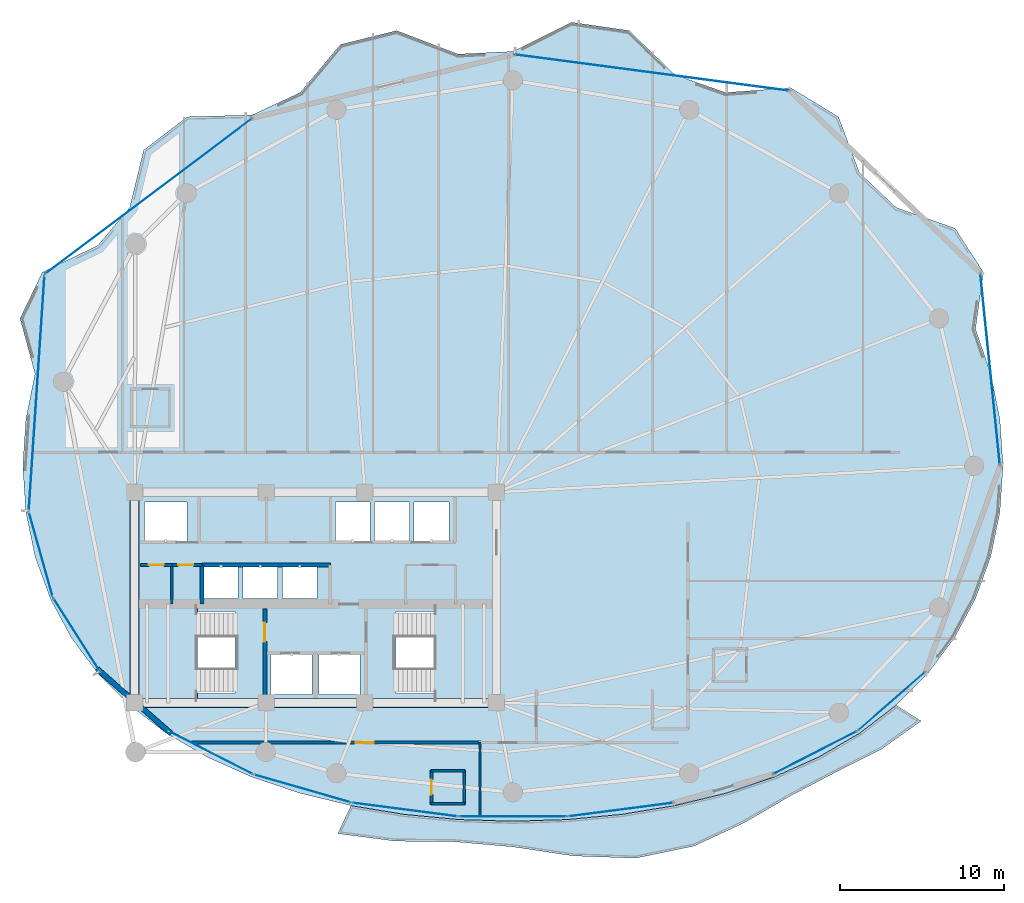
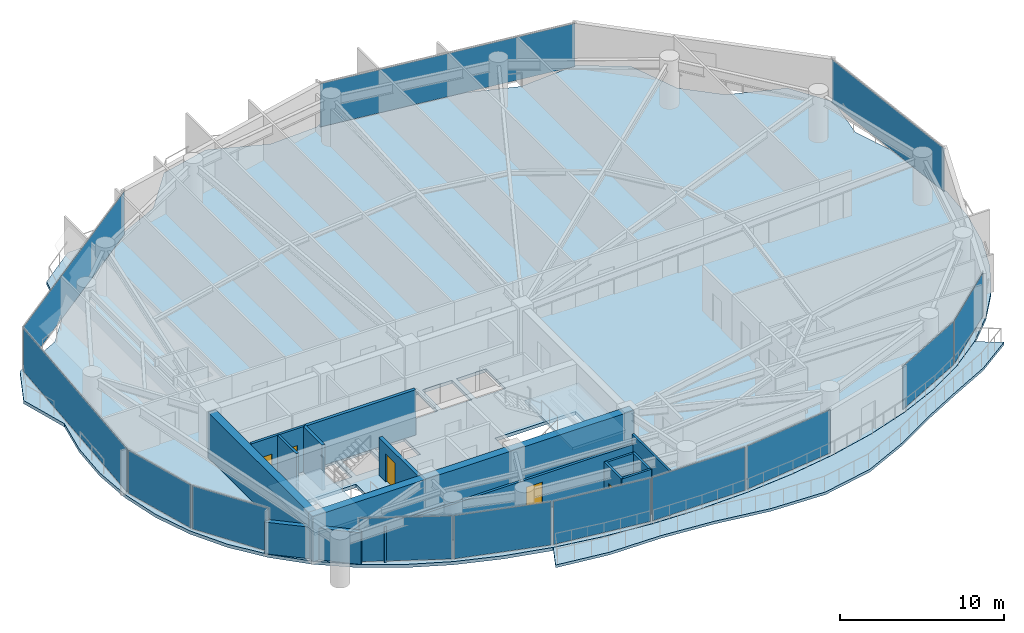
# One storey, part 24 of 31: 15 walls, 13 plates, 5 doors, 4 slabs, 5 openings, 15 elements without a shape of their own.
"""IFC4 building model written with IfcOpenShell, lengths in metres."""

from ifc_helpers import new_model, si_unit, direction, frame, frame_2d, origin, origin_2d, place, context, subcontext, project, spatial, polyline, rectangle, outline, extrude, material, layer, layer_set, type_object, element, fill, aggregate, save


model = new_model("IFC4")

# Units and contexts
model_context = context("Model", 3, precision=1e-05, world=origin(), true_north=direction((0.0, 1.0)))
body_context = subcontext(model_context, "Body", "Model", "MODEL_VIEW")
ifc_project = project(units=[si_unit("LENGTHUNIT", "METRE"), si_unit("AREAUNIT", "SQUARE_METRE"), si_unit("VOLUMEUNIT", "CUBIC_METRE"), si_unit("PLANEANGLEUNIT", "RADIAN"), si_unit("MASSUNIT", "GRAM", prefix="KILO")], contexts=[model_context])

# Site, building, storey
site_placement = place(None, origin())
site = spatial("IfcSite", under=ifc_project, at=site_placement, CompositionType="ELEMENT")
building_placement = place(site_placement, origin())
building = spatial("IfcBuilding", under=site, at=building_placement, Name="Kazevale Care Tower and Concert Hall", CompositionType="ELEMENT")
storey_placement = place(building_placement, frame((0.0, 0.0, 124.199951171875)))
storey = spatial("IfcBuildingStorey", under=building, at=storey_placement, Name="L32", CompositionType="ELEMENT", Elevation=124.199951171875)

# Curtain wall, plate
ifc_material_1 = material(Name="Aluminium 6063-T6 and Low-E Glass", Category="aluminium")
ifc_layer_1 = layer(ifc_material_1, 0.179931640625)
ifc_layer_set_1 = layer_set([ifc_layer_1], Name="Aluminium 6063-T6 and Low-E Glass")
curtain_wall_type_1 = type_object("IfcCurtainWallType", Name="Convex Recessed Sunroom Curtain Wall CW-3", PredefinedType="NOTDEFINED", material=ifc_layer_set_1)
curtain_wall_1_placement = place(storey_placement, origin())
curtain_wall_1 = element("IfcCurtainWall", 1, at=curtain_wall_1_placement, inside=storey, type_object=curtain_wall_type_1, Name="cw:L32:f14", PredefinedType="NOTDEFINED")
ifc_material_2 = material(Name="Low-E Laminated Glass", Category="glass")
ifc_layer_2 = layer(ifc_material_2, 0.028076171875)
ifc_layer_set_2 = layer_set([ifc_layer_2], Name="Low-E Laminated Glass")
plate_type_1 = type_object("IfcPlateType", Name="CW-3 Low-E Glazing Panel 28mm", PredefinedType="CURTAIN_PANEL", material=ifc_layer_set_2)
plate_1_placement = place(storey_placement, frame((22.8583984375, 54.402099609375, 0.074951171875), z_axis=(0.0, 0.0, 1.0), x_axis=(0.799400950952, 0.600797902474, 0.0)))
plate_1 = element("IfcPlate", 2, at=plate_1_placement, type_object=plate_type_1, Name="CW-3 panel 1.1", PredefinedType="CURTAIN_PANEL", context=body_context, shape_type="SweptSolid", body=[
    extrude(rectangle(XDim=15.685546875, YDim=0.028076171875, at=origin_2d()), origin(), (0.0, 0.0, 1.0), 3.2099609375),
])
aggregate(curtain_wall_1, [plate_1])

curtain_wall_2_placement = place(storey_placement, origin())
curtain_wall_2 = element("IfcCurtainWall", 3, at=curtain_wall_2_placement, inside=storey, type_object=curtain_wall_type_1, Name="cw:L32:f16", PredefinedType="NOTDEFINED")
plate_2_placement = place(storey_placement, frame((53.447509765625, 61.91357421875, 0.074951171875), z_axis=(0.0, 0.0, 1.0), x_axis=(0.991405823257, -0.130822374277, 0.0)))
plate_2 = element("IfcPlate", 4, at=plate_2_placement, type_object=plate_type_1, Name="CW-3 panel 1.1", PredefinedType="CURTAIN_PANEL", context=body_context, shape_type="SweptSolid", body=[
    extrude(rectangle(XDim=16.796630859375, YDim=0.028076171875, at=origin_2d()), origin(), (0.0, 0.0, 1.0), 3.2099609375),
])
aggregate(curtain_wall_2, [plate_2])

ifc_layer_3 = layer(ifc_material_1, 0.179931640625)
ifc_layer_set_3 = layer_set([ifc_layer_3], Name="Aluminium 6063-T6 and Low-E Glass")
curtain_wall_type_2 = type_object("IfcCurtainWallType", Name="Waist & Upper Residential Curtain Wall CW-4", PredefinedType="NOTDEFINED", material=ifc_layer_set_3)
curtain_wall_3_placement = place(storey_placement, origin())
curtain_wall_3 = element("IfcCurtainWall", 5, at=curtain_wall_3_placement, inside=storey, type_object=curtain_wall_type_2, Name="cw:L32:f11", PredefinedType="NOTDEFINED")
ifc_layer_4 = layer(ifc_material_2, 0.030029296875)
ifc_layer_set_4 = layer_set([ifc_layer_4], Name="Low-E Laminated Glass")
plate_type_2 = type_object("IfcPlateType", Name="CW-4 Low-E Glazing Panel 30mm", PredefinedType="CURTAIN_PANEL", material=ifc_layer_set_4)
plate_3_placement = place(storey_placement, frame((18.470458984375, 27.75244140625, 0.080078125), z_axis=(0.0, 0.0, 1.0), x_axis=(-0.537239193981, 0.843429930967, 0.0)))
plate_3 = element("IfcPlate", 6, at=plate_3_placement, type_object=plate_type_2, Name="CW-4 panel 1.1", PredefinedType="CURTAIN_PANEL", context=body_context, shape_type="SweptSolid", body=[
    extrude(rectangle(XDim=5.176513671875, YDim=0.030029296875, at=origin_2d()), origin(), (0.0, 0.0, 1.0), 3.199951171875),
])
aggregate(curtain_wall_3, [plate_3])

curtain_wall_4_placement = place(storey_placement, origin())
curtain_wall_4 = element("IfcCurtainWall", 7, at=curtain_wall_4_placement, inside=storey, type_object=curtain_wall_type_2, Name="cw:L32:f12", PredefinedType="NOTDEFINED")
plate_4_placement = place(storey_placement, frame((16.301513671875, 32.612548828125, 0.080078125), z_axis=(0.0, 0.0, 1.0), x_axis=(-0.271284948278, 0.962499078876, 0.0)))
plate_4 = element("IfcPlate", 8, at=plate_4_placement, type_object=plate_type_2, Name="CW-4 panel 1.1", PredefinedType="CURTAIN_PANEL", context=body_context, shape_type="SweptSolid", body=[
    extrude(rectangle(XDim=5.262451171875, YDim=0.030029296875, at=origin_2d()), origin(), (0.0, 0.0, 1.0), 3.199951171875),
])
aggregate(curtain_wall_4, [plate_4])

curtain_wall_5_placement = place(storey_placement, origin())
curtain_wall_5 = element("IfcCurtainWall", 9, at=curtain_wall_5_placement, inside=storey, type_object=curtain_wall_type_2, Name="cw:L32:f13", PredefinedType="NOTDEFINED")
plate_5_placement = place(storey_placement, frame((16.047607421875, 42.43359375, 0.080078125), z_axis=(0.0, 0.0, 1.0), x_axis=(0.06662002475, 0.997778418439, 0.0)))
plate_5 = element("IfcPlate", 10, at=plate_5_placement, type_object=plate_type_2, Name="CW-4 panel 1.1", PredefinedType="CURTAIN_PANEL", context=body_context, shape_type="SweptSolid", body=[
    extrude(rectangle(XDim=14.295166015625, YDim=0.030029296875, at=origin_2d()), origin(), (0.0, 0.0, 1.0), 3.199951171875),
])
aggregate(curtain_wall_5, [plate_5])

curtain_wall_6_placement = place(storey_placement, origin())
curtain_wall_6 = element("IfcCurtainWall", 11, at=curtain_wall_6_placement, inside=storey, type_object=curtain_wall_type_2, Name="cw:L32:f18", PredefinedType="NOTDEFINED")
plate_6_placement = place(storey_placement, frame((74.01904296875, 43.868896484375, 0.080078125), z_axis=(0.0, 0.0, 1.0), x_axis=(0.101869730126, -0.994797747326, 0.0)))
plate_6 = element("IfcPlate", 12, at=plate_6_placement, type_object=plate_type_2, Name="CW-4 panel 1.1", PredefinedType="CURTAIN_PANEL", context=body_context, shape_type="SweptSolid", body=[
    extrude(rectangle(XDim=11.639404296875, YDim=0.030029296875, at=origin_2d()), origin(), (0.0, 0.0, 1.0), 3.199951171875),
])
aggregate(curtain_wall_6, [plate_6])

ifc_layer_5 = layer(ifc_material_1, 0.179931640625)
ifc_layer_set_5 = layer_set([ifc_layer_5], Name="Aluminium 6063-T6 and Low-E Glass")
curtain_wall_type_3 = type_object("IfcCurtainWallType", Name="Sheltered Concave Balcony Curtain Wall CW-5", PredefinedType="NOTDEFINED", material=ifc_layer_set_5)
curtain_wall_7_placement = place(storey_placement, origin())
curtain_wall_7 = element("IfcCurtainWall", 13, at=curtain_wall_7_placement, inside=storey, type_object=curtain_wall_type_3, Name="cw:L32:f02", PredefinedType="NOTDEFINED")
ifc_layer_6 = layer(ifc_material_2, 0.02587890625)
ifc_layer_set_6 = layer_set([ifc_layer_6], Name="Low-E Laminated Glass")
plate_type_3 = type_object("IfcPlateType", Name="CW-5 Low-E Glazing Panel 26mm", PredefinedType="CURTAIN_PANEL", material=ifc_layer_set_6)
plate_7_placement = place(storey_placement, frame((68.033447265625, 23.699951171875, 0.074951171875), z_axis=(0.0, 0.0, 1.0), x_axis=(-0.753062779437, -0.657948668382, 0.0)))
plate_7 = element("IfcPlate", 14, at=plate_7_placement, type_object=plate_type_3, Name="CW-5 panel 1.1", PredefinedType="CURTAIN_PANEL", context=body_context, shape_type="SweptSolid", body=[
    extrude(rectangle(XDim=5.32763671875, YDim=0.02587890625, at=origin_2d()), origin(), (0.0, 0.0, 1.0), 3.2099609375),
])
aggregate(curtain_wall_7, [plate_7])

curtain_wall_8_placement = place(storey_placement, origin())
curtain_wall_8 = element("IfcCurtainWall", 15, at=curtain_wall_8_placement, inside=storey, type_object=curtain_wall_type_3, Name="cw:L32:f03", PredefinedType="NOTDEFINED")
plate_8_placement = place(storey_placement, frame((63.3798828125, 20.571533203125, 0.074951171875), z_axis=(0.0, 0.0, 1.0), x_axis=(-0.890126646051, -0.455713236575, 0.0)))
plate_8 = element("IfcPlate", 16, at=plate_8_placement, type_object=plate_type_3, Name="CW-5 panel 1.1", PredefinedType="CURTAIN_PANEL", context=body_context, shape_type="SweptSolid", body=[
    extrude(rectangle(XDim=5.671630859375, YDim=0.02587890625, at=origin_2d()), origin(), (0.0, 0.0, 1.0), 3.2099609375),
])
aggregate(curtain_wall_8, [plate_8])

curtain_wall_9_placement = place(storey_placement, origin())
curtain_wall_9 = element("IfcCurtainWall", 17, at=curtain_wall_9_placement, inside=storey, type_object=curtain_wall_type_3, Name="cw:L32:f05", PredefinedType="NOTDEFINED")
plate_9_placement = place(storey_placement, frame((51.5654296875, 17.1044921875, 0.074951171875), z_axis=(0.0, 0.0, 1.0), x_axis=(-0.991685519364, -0.12868500567, 0.0)))
plate_9 = element("IfcPlate", 18, at=plate_9_placement, type_object=plate_type_3, Name="CW-5 panel 1.1", PredefinedType="CURTAIN_PANEL", context=body_context, shape_type="SweptSolid", body=[
    extrude(rectangle(XDim=6.38525390625, YDim=0.02587890625, at=origin_2d()), origin(), (0.0, 0.0, 1.0), 3.2099609375),
])
aggregate(curtain_wall_9, [plate_9])

curtain_wall_10_placement = place(storey_placement, origin())
curtain_wall_10 = element("IfcCurtainWall", 19, at=curtain_wall_10_placement, inside=storey, type_object=curtain_wall_type_3, Name="cw:L32:f06", PredefinedType="NOTDEFINED")
plate_10_placement = place(storey_placement, frame((45.0, 16.68408203125, 0.074951171875), z_axis=(0.0, 0.0, 1.0), x_axis=(-1.0, 0.0, 0.0)))
plate_10 = element("IfcPlate", 20, at=plate_10_placement, type_object=plate_type_3, Name="CW-5 panel 1.1", PredefinedType="CURTAIN_PANEL", context=body_context, shape_type="SweptSolid", body=[
    extrude(rectangle(XDim=6.5, YDim=0.02587890625, at=origin_2d()), origin(), (0.0, 0.0, 1.0), 3.2099609375),
])
aggregate(curtain_wall_10, [plate_10])

curtain_wall_11_placement = place(storey_placement, origin())
curtain_wall_11 = element("IfcCurtainWall", 21, at=curtain_wall_11_placement, inside=storey, type_object=curtain_wall_type_3, Name="cw:L32:f07", PredefinedType="NOTDEFINED")
plate_11_placement = place(storey_placement, frame((38.4345703125, 17.1044921875, 0.074951171875), z_axis=(0.0, 0.0, 1.0), x_axis=(-0.991685519364, 0.12868500567, 0.0)))
plate_11 = element("IfcPlate", 22, at=plate_11_placement, type_object=plate_type_3, Name="CW-5 panel 1.1", PredefinedType="CURTAIN_PANEL", context=body_context, shape_type="SweptSolid", body=[
    extrude(rectangle(XDim=6.38525390625, YDim=0.02587890625, at=origin_2d()), origin(), (0.0, 0.0, 1.0), 3.2099609375),
])
aggregate(curtain_wall_11, [plate_11])

curtain_wall_12_placement = place(storey_placement, origin())
curtain_wall_12 = element("IfcCurtainWall", 23, at=curtain_wall_12_placement, inside=storey, type_object=curtain_wall_type_3, Name="cw:L32:f08", PredefinedType="NOTDEFINED")
plate_12_placement = place(storey_placement, frame((32.202392578125, 18.385009765625, 0.074951171875), z_axis=(0.0, 0.0, 1.0), x_axis=(-0.961074102639, 0.276290733172, 0.0)))
plate_12 = element("IfcPlate", 24, at=plate_12_placement, type_object=plate_type_3, Name="CW-5 panel 1.1", PredefinedType="CURTAIN_PANEL", context=body_context, shape_type="SweptSolid", body=[
    extrude(rectangle(XDim=6.075439453125, YDim=0.02587890625, at=origin_2d()), origin(), (0.0, 0.0, 1.0), 3.2099609375),
])
aggregate(curtain_wall_12, [plate_12])

curtain_wall_13_placement = place(storey_placement, origin())
curtain_wall_13 = element("IfcCurtainWall", 25, at=curtain_wall_13_placement, inside=storey, type_object=curtain_wall_type_3, Name="cw:L32:f09", PredefinedType="NOTDEFINED")
plate_13_placement = place(storey_placement, frame((26.6201171875, 20.571533203125, 0.074951171875), z_axis=(0.0, 0.0, 1.0), x_axis=(-0.890126646051, 0.455713236575, 0.0)))
plate_13 = element("IfcPlate", 26, at=plate_13_placement, type_object=plate_type_3, Name="CW-5 panel 1.1", PredefinedType="CURTAIN_PANEL", context=body_context, shape_type="SweptSolid", body=[
    extrude(rectangle(XDim=5.671630859375, YDim=0.02587890625, at=origin_2d()), origin(), (0.0, 0.0, 1.0), 3.2099609375),
])
aggregate(curtain_wall_13, [plate_13])

# Slab
ifc_material_3 = material(Name="Concrete C40", Category="concrete")
ifc_layer_7 = layer(ifc_material_3, 0.199951171875)
ifc_layer_set_7 = layer_set([ifc_layer_7], Name="Concrete C40")
slab_type_1 = type_object("IfcSlabType", Name="Sinusoidal Concave Balcony Slab 200", PredefinedType="USERDEFINED", material=ifc_layer_set_7)
slab_1_placement = place(storey_placement, frame((0.0, 0.0, -0.199951171875)))
element("IfcSlab", 27, at=slab_1_placement, inside=storey, type_object=slab_type_1, Name="slab:L32:bal", ObjectType="BALCONY", PredefinedType="USERDEFINED", context=body_context, shape_type="SweptSolid", body=[
    extrude(outline(polyline([(69.8251953125, 22.492919921875), (67.36572265625, 20.75), (64.569091796875, 19.349365234375), (61.829833984375, 17.91357421875), (59.088134765625, 16.315185546875), (56.014892578125, 14.887939453125), (52.4658203125, 14.152587890625), (48.680419921875, 14.2880859375), (45.0, 14.841796875), (41.453369140625, 15.14990234375), (37.858154296875, 15.1875), (34.346435546875, 15.645751953125), (35.155517578125, 17.343505859375), (35.15673828125, 17.34326171875), (38.368408203125, 16.81396484375), (41.6630859375, 16.49951171875), (45.0, 16.39501953125), (48.3369140625, 16.49951171875), (51.631591796875, 16.81396484375), (54.84326171875, 17.34326171875), (57.93115234375, 18.09375), (60.8564453125, 19.07275390625), (63.582275390625, 20.28759765625), (66.07470703125, 21.74365234375), (68.302001953125, 23.442626953125), (68.302978515625, 23.44384765625), (69.8251953125, 22.492919921875)])), origin(), (0.0, 0.0, 1.0), 0.199951171875),
])

# Stair, slab
stair_type = type_object("IfcStairType", Name="Exit Stair Assembly ST1-Z2", PredefinedType="HALF_TURN_STAIR", material=ifc_material_3)
stair_1_placement = place(storey_placement, origin())
stair_1 = element("IfcStair", 28, at=stair_1_placement, inside=storey, type_object=stair_type, Name="stair:L32:ST1", PredefinedType="HALF_TURN_STAIR")
ifc_layer_8 = layer(ifc_material_3, 0.199951171875)
ifc_layer_set_8 = layer_set([ifc_layer_8], Name="Concrete C40")
slab_type_2 = type_object("IfcSlabType", Name="Stair Half-Landing Slab ST1-Z2", PredefinedType="LANDING", material=ifc_layer_set_8)
slab_2_placement = place(storey_placement, frame((0.0, 0.0, 1.60009765625)))
slab_2 = element("IfcSlab", 29, at=slab_2_placement, type_object=slab_type_2, Name="ST1-Z2 landing 1", PredefinedType="LANDING", context=body_context, shape_type="SweptSolid", body=[
    extrude(outline(polyline([(22.050048828125, 23.699951171875), (25.81005859375, 23.699951171875), (25.81005859375, 29.5), (22.050048828125, 29.5), (22.050048828125, 23.699951171875)])), origin(), (0.0, 0.0, 1.0), 0.199951171875),
])
aggregate(stair_1, [slab_2])

stair_2_placement = place(storey_placement, origin())
stair_2 = element("IfcStair", 30, at=stair_2_placement, inside=storey, type_object=stair_type, Name="stair:L32:ST2", PredefinedType="HALF_TURN_STAIR")
slab_3_placement = place(storey_placement, frame((0.0, 0.0, 1.60009765625)))
slab_3 = element("IfcSlab", 31, at=slab_3_placement, type_object=slab_type_2, Name="ST1-Z2 landing 1", PredefinedType="LANDING", context=body_context, shape_type="SweptSolid", body=[
    extrude(outline(polyline([(40.18994140625, 23.699951171875), (43.949951171875, 23.699951171875), (43.949951171875, 29.5), (40.18994140625, 29.5), (40.18994140625, 23.699951171875)])), origin(), (0.0, 0.0, 1.0), 0.199951171875),
])
aggregate(stair_2, [slab_3])

# Slab
ifc_layer_9 = layer(ifc_material_3, 0.239990234375)
ifc_layer_set_9 = layer_set([ifc_layer_9], Name="Concrete C40")
slab_type_3 = type_object("IfcSlabType", Name="Tower Typical Floor Slab 240", PredefinedType="FLOOR", material=ifc_layer_set_9)
slab_4_placement = place(storey_placement, frame((0.0, 0.0, -0.239990234375)))
element("IfcSlab", 32, at=slab_4_placement, inside=storey, type_object=slab_type_3, Name="slab:L32:tw:1", PredefinedType="FLOOR", context=body_context, shape_type="SweptSolid", body=[
    extrude(outline(polyline([(74.800048828125, 38.0), (74.612548828125, 40.821533203125), (74.052978515625, 43.607421875), (73.127685546875, 46.322998046875), (73.605712890625, 49.77978515625), (71.883544921875, 52.444580078125), (68.298583984375, 53.7119140625), (66.07177734375, 55.819091796875), (64.7958984375, 59.226806640625), (61.89208984375, 60.988525390625), (57.9296875, 60.704345703125), (54.84228515625, 61.785888671875), (52.06494140625, 64.46923828125), (48.554931640625, 64.979248046875), (45.0, 63.199951171875), (41.66357421875, 63.04150390625), (37.93505859375, 64.46923828125), (34.513671875, 63.62646484375), (32.0703125, 60.704345703125), (29.1455078125, 59.33740234375), (25.2041015625, 59.226806640625), (22.54931640625, 57.197998046875), (21.701416015625, 53.7119140625), (19.767578125, 51.4072265625), (16.394287109375, 49.77978515625), (15.03173828125, 46.967041015625), (15.947021484375, 43.607421875), (15.387451171875, 40.821533203125), (15.199951171875, 38.0), (15.387451171875, 35.197265625), (15.947021484375, 32.490234375), (16.872314453125, 29.92919921875), (18.151123046875, 27.551513671875), (19.767578125, 25.384521484375), (21.701416015625, 23.446533203125), (23.92822265625, 21.747802734375), (26.419921875, 20.2919921875), (29.1455078125, 19.077392578125), (32.0703125, 18.098388671875), (35.15771484375, 17.34814453125), (38.368896484375, 16.819091796875), (41.66357421875, 16.50439453125), (45.0, 16.39990234375), (48.33642578125, 16.50439453125), (51.631103515625, 16.819091796875), (54.84228515625, 17.34814453125), (57.9296875, 18.098388671875), (60.8544921875, 19.077392578125), (63.580078125, 20.2919921875), (66.07177734375, 21.747802734375), (68.298583984375, 23.446533203125), (70.232421875, 25.384521484375), (71.848876953125, 27.551513671875), (73.127685546875, 29.92919921875), (74.052978515625, 32.490234375), (74.612548828125, 35.197265625), (74.800048828125, 38.0)]), holes=[polyline([(22.449951171875, 24.14990234375), (28.110107421875, 24.14990234375), (28.110107421875, 29.14990234375), (22.449951171875, 29.14990234375), (22.449951171875, 24.14990234375)]), polyline([(37.889892578125, 24.14990234375), (43.550048828125, 24.14990234375), (43.550048828125, 29.14990234375), (37.889892578125, 29.14990234375), (37.889892578125, 24.14990234375)]), polyline([(30.300048828125, 24.10009765625), (32.800048828125, 24.10009765625), (32.800048828125, 26.60009765625), (30.300048828125, 26.60009765625), (30.300048828125, 24.10009765625)]), polyline([(33.199951171875, 24.10009765625), (35.699951171875, 24.10009765625), (35.699951171875, 26.60009765625), (33.199951171875, 26.60009765625), (33.199951171875, 24.10009765625)]), polyline([(22.60009765625, 33.39990234375), (25.199951171875, 33.39990234375), (25.199951171875, 35.800048828125), (22.60009765625, 35.800048828125), (22.60009765625, 33.39990234375)]), polyline([(34.199951171875, 33.39990234375), (36.300048828125, 33.39990234375), (36.300048828125, 35.800048828125), (34.199951171875, 35.800048828125), (34.199951171875, 33.39990234375)]), polyline([(36.60009765625, 33.39990234375), (38.699951171875, 33.39990234375), (38.699951171875, 35.800048828125), (36.60009765625, 35.800048828125), (36.60009765625, 33.39990234375)]), polyline([(39.0, 33.39990234375), (41.10009765625, 33.39990234375), (41.10009765625, 35.800048828125), (39.0, 35.800048828125), (39.0, 33.39990234375)]), polyline([(26.199951171875, 29.949951171875), (28.300048828125, 29.949951171875), (28.300048828125, 31.949951171875), (26.199951171875, 31.949951171875), (26.199951171875, 29.949951171875)]), polyline([(28.60009765625, 29.949951171875), (30.699951171875, 29.949951171875), (30.699951171875, 31.949951171875), (28.60009765625, 31.949951171875), (28.60009765625, 29.949951171875)]), polyline([(31.0, 29.949951171875), (33.10009765625, 29.949951171875), (33.10009765625, 31.949951171875), (31.0, 31.949951171875), (31.0, 29.949951171875)])]), origin(), (0.0, 0.0, 1.0), 0.239990234375),
])

# Walls
ifc_material_4 = material(Name="Acoustic Gypsum on Steel Stud", Category="steel")
ifc_layer_10 = layer(ifc_material_4, 0.139892578125)
ifc_layer_set_10 = layer_set([ifc_layer_10], Name="Acoustic Gypsum on Steel Stud")
wall_type_1 = type_object("IfcWallType", Name="Acoustic Care & Suite Partition 140", PredefinedType="PARTITIONING", material=ifc_layer_set_10)
wall_1_placement = place(storey_placement, frame((43.0, 21.205078125, 0.0), z_axis=(0.0, 0.0, 1.0), x_axis=(0.0, -1.0, 0.0)))
element("IfcWall", 33, at=wall_1_placement, inside=storey, type_object=wall_type_1, Name="wall:L32:auto_037", PredefinedType="PARTITIONING", context=body_context, shape_type="SweptSolid", body=[
    extrude(rectangle(XDim=4.510986328125, YDim=0.139892578125, at=frame_2d((2.25537109375, 0.0))), origin(), (0.0, 0.0, 1.0), 3.360107421875),
])
ifc_material_5 = material(Name="Concrete C60", Category="concrete")
ifc_layer_11 = layer(ifc_material_5, 0.550048828125)
ifc_layer_set_11 = layer_set([ifc_layer_11], Name="Concrete C60")
wall_type_2 = type_object("IfcWallType", Name="Core Shear Wall 550 C60", PredefinedType="SHEAR", material=ifc_layer_set_11)
wall_2_placement = place(storey_placement, frame((21.72509765625, 23.60009765625, 0.0), z_axis=(0.0, 0.0, 1.0), x_axis=(1.0, 0.0, 0.0)))
element("IfcWall", 34, at=wall_2_placement, inside=storey, type_object=wall_type_2, Name="wall:L32:core:S", PredefinedType="SHEAR", context=body_context, shape_type="SweptSolid", body=[
    extrude(rectangle(XDim=22.5498046875, YDim=0.550048828125, at=frame_2d((11.27490234375, 0.0))), origin(), (0.0, 0.0, 1.0), 3.360107421875),
])
wall_3_placement = place(storey_placement, frame((22.0, 23.875, 0.0), z_axis=(0.0, 0.0, 1.0), x_axis=(0.0, 1.0, 0.0)))
element("IfcWall", 35, at=wall_3_placement, inside=storey, type_object=wall_type_2, Name="wall:L32:core:W", PredefinedType="SHEAR", context=body_context, shape_type="SweptSolid", body=[
    extrude(rectangle(XDim=12.25, YDim=0.550048828125, at=frame_2d((6.125, 0.0))), origin(), (0.0, 0.0, 1.0), 3.360107421875),
])
ifc_layer_12 = layer(ifc_material_3, 0.219970703125)
ifc_layer_set_12 = layer_set([ifc_layer_12], Name="Concrete C40")
wall_type_3 = type_object("IfcWallType", Name="Elevator Hoistway Shaft Wall 220", PredefinedType="SOLIDWALL", material=ifc_layer_set_12)
wall_4_placement = place(storey_placement, frame((26.10009765625, 29.6201171875, 0.0), z_axis=(0.0, 0.0, 1.0), x_axis=(0.0, 1.0, 0.0)))
element("IfcWall", 36, at=wall_4_placement, inside=storey, type_object=wall_type_3, Name="wall:L32:c_ph_w", PredefinedType="SOLIDWALL", context=body_context, shape_type="SweptSolid", body=[
    extrude(rectangle(XDim=2.35986328125, YDim=0.219970703125, at=frame_2d((1.179931640625, 0.0))), origin(), (0.0, 0.0, 1.0), 3.360107421875),
])
wall_5_placement = place(storey_placement, frame((26.10009765625, 31.97998046875, 0.0), z_axis=(0.0, 0.0, 1.0), x_axis=(1.0, 0.0, 0.0)))
element("IfcWall", 37, at=wall_5_placement, inside=storey, type_object=wall_type_3, Name="wall:L32:c_ph_n", PredefinedType="SOLIDWALL", context=body_context, shape_type="SweptSolid", body=[
    extrude(rectangle(XDim=7.7998046875, YDim=0.219970703125, at=frame_2d((3.89990234375, 0.0))), origin(), (0.0, 0.0, 1.0), 3.360107421875),
])

# Wall, opening, door
ifc_material_6 = material(Name="Concrete C40 and Acoustic Gypsum", Category="concrete")
ifc_layer_13 = layer(ifc_material_6, 0.179931640625)
ifc_layer_set_13 = layer_set([ifc_layer_13], Name="Concrete C40 and Acoustic Gypsum")
wall_type_4 = type_object("IfcWallType", Name="Fire-Rated Corridor & Party Wall 180", PredefinedType="PARTITIONING", material=ifc_layer_set_13)
wall_6_placement = place(storey_placement, frame((22.35009765625, 31.97998046875, 0.0), z_axis=(0.0, 0.0, 1.0), x_axis=(1.0, 0.0, 0.0)))
wall_6 = element("IfcWall", 38, at=wall_6_placement, inside=storey, type_object=wall_type_4, Name="wall:L32:kb_wn0", PredefinedType="PARTITIONING", context=body_context, shape_type="SweptSolid", body=[
    extrude(rectangle(XDim=1.909912109375, YDim=0.179931640625, at=frame_2d((0.955078125, 0.0))), origin(), (0.0, 0.0, 1.0), 3.360107421875),
])
opening_1_placement = place(wall_6_placement, frame((0.514892578125, 0.0, 0.0)))
opening_1 = element("IfcOpeningElement", 39, at=opening_1_placement, cuts=wall_6, Name="Opening ID-900", PredefinedType="OPENING", context=body_context, shape_type="SweptSolid", body=[
    extrude(rectangle(XDim=0.919921875, YDim=2.10009765625, at=frame_2d((0.4599609375, 1.050048828125))), frame((0.0, 0.099853515625, 0.0), z_axis=(0.0, -1.0, 0.0), x_axis=(1.0, 0.0, 0.0)), (0.0, 0.0, 1.0), 0.199951171875),
])
ifc_material_7 = material(Name="Oak Timber Fire Leaf", Category="wood")
door_type_1 = type_object("IfcDoorType", Name="Bathroom & Service Door 920x2100", OperationType="NOTDEFINED", PredefinedType="DOOR", material=ifc_material_7)
door_1_placement = place(opening_1_placement, origin())
door_1 = element("IfcDoor", 40, at=door_1_placement, inside=storey, type_object=door_type_1, Name="door:L32:d_kbw1", OperationType="SINGLE_SWING_LEFT", OverallHeight=2.10009765625, OverallWidth=0.919921875, PredefinedType="DOOR", context=body_context, shape_type="SweptSolid", body=[
    extrude(rectangle(XDim=0.919921875, YDim=2.10009765625, at=frame_2d((0.4599609375, 1.050048828125))), frame((0.0, 0.02490234375, 0.0), z_axis=(0.0, -1.0, 0.0), x_axis=(1.0, 0.0, 0.0)), (0.0, 0.0, 1.0), 0.050048828125),
])
fill(opening_1, door_1)

wall_7_placement = place(storey_placement, frame((43.06494140625, 21.175048828125, 0.0), z_axis=(0.0, 0.0, 1.0), x_axis=(-1.0, 0.0, 0.0)))
wall_7 = element("IfcWall", 41, at=wall_7_placement, inside=storey, type_object=wall_type_4, Name="wall:L32:auto_020", PredefinedType="PARTITIONING", context=body_context, shape_type="SweptSolid", body=[
    extrude(rectangle(XDim=17.61376953125, YDim=0.179931640625, at=frame_2d((8.806884765625, 0.0))), origin(), (0.0, 0.0, 1.0), 2.656982421875),
])
opening_2_placement = place(wall_7_placement, frame((6.514892578125, 0.0, 0.0)))
opening_2 = element("IfcOpeningElement", 42, at=opening_2_placement, cuts=wall_7, Name="Opening ID-1100", PredefinedType="OPENING", context=body_context, shape_type="SweptSolid", body=[
    extrude(rectangle(XDim=1.10009765625, YDim=2.10009765625, at=frame_2d((0.550048828125, 1.050048828125))), frame((0.0, 0.099853515625, 0.0), z_axis=(0.0, -1.0, 0.0), x_axis=(1.0, 0.0, 0.0)), (0.0, 0.0, 1.0), 0.199951171875),
])
door_type_2 = type_object("IfcDoorType", Name="Care Bedroom Accessible Door 1100x2100", OperationType="NOTDEFINED", PredefinedType="DOOR", material=ifc_material_7)
door_2_placement = place(opening_2_placement, origin())
door_2 = element("IfcDoor", 43, at=door_2_placement, inside=storey, type_object=door_type_2, Name="door:L32:ad_020", OperationType="SINGLE_SWING_LEFT", OverallHeight=2.10009765625, OverallWidth=1.10009765625, PredefinedType="DOOR", context=body_context, shape_type="SweptSolid", body=[
    extrude(rectangle(XDim=1.10009765625, YDim=2.10009765625, at=frame_2d((0.550048828125, 1.050048828125))), frame((0.0, 0.02490234375, 0.0), z_axis=(0.0, -1.0, 0.0), x_axis=(1.0, 0.0, 0.0)), (0.0, 0.0, 1.0), 0.050048828125),
])
fill(opening_2, door_2)

# Wall
ifc_layer_14 = layer(ifc_material_4, 0.159912109375)
ifc_layer_set_14 = layer_set([ifc_layer_14], Name="Acoustic Gypsum on Steel Stud")
wall_type_5 = type_object("IfcWallType", Name="Moisture-Resistant Bathroom Plumbing Wall 160", PredefinedType="PLUMBINGWALL", material=ifc_layer_set_14)
wall_8_placement = place(storey_placement, frame((24.260009765625, 29.6201171875, 0.0), z_axis=(0.0, 0.0, 1.0), x_axis=(0.0, 1.0, 0.0)))
element("IfcWall", 44, at=wall_8_placement, inside=storey, type_object=wall_type_5, Name="wall:L32:kb_we1", PredefinedType="PLUMBINGWALL", context=body_context, shape_type="SweptSolid", body=[
    extrude(rectangle(XDim=2.35986328125, YDim=0.159912109375, at=frame_2d((1.179931640625, 0.0))), origin(), (0.0, 0.0, 1.0), 3.360107421875),
])

# Wall, opening, door
wall_9_placement = place(storey_placement, frame((24.260009765625, 31.97998046875, 0.0), z_axis=(0.0, 0.0, 1.0), x_axis=(1.0, 0.0, 0.0)))
wall_9 = element("IfcWall", 45, at=wall_9_placement, inside=storey, type_object=wall_type_5, Name="wall:L32:kb_wn1", PredefinedType="PLUMBINGWALL", context=body_context, shape_type="SweptSolid", body=[
    extrude(rectangle(XDim=1.840087890625, YDim=0.159912109375, at=frame_2d((0.919921875, 0.0))), origin(), (0.0, 0.0, 1.0), 3.360107421875),
])
opening_3_placement = place(wall_9_placement, frame((0.387939453125, 0.0, 0.0)))
opening_3 = element("IfcOpeningElement", 46, at=opening_3_placement, cuts=wall_9, Name="Opening ID-900", PredefinedType="OPENING", context=body_context, shape_type="SweptSolid", body=[
    extrude(rectangle(XDim=0.919921875, YDim=2.10009765625, at=frame_2d((0.4599609375, 1.050048828125))), frame((0.0, 0.08984375, 0.0), z_axis=(0.0, -1.0, 0.0), x_axis=(1.0, 0.0, 0.0)), (0.0, 0.0, 1.0), 0.179931640625),
])
door_3_placement = place(opening_3_placement, origin())
door_3 = element("IfcDoor", 47, at=door_3_placement, inside=storey, type_object=door_type_1, Name="door:L32:d_kbw2", OperationType="SINGLE_SWING_RIGHT", OverallHeight=2.10009765625, OverallWidth=0.919921875, PredefinedType="DOOR", context=body_context, shape_type="SweptSolid", body=[
    extrude(rectangle(XDim=0.919921875, YDim=2.10009765625, at=frame_2d((0.4599609375, 1.050048828125))), frame((0.0, 0.02490234375, 0.0), z_axis=(0.0, -1.0, 0.0), x_axis=(1.0, 0.0, 0.0)), (0.0, 0.0, 1.0), 0.050048828125),
])
fill(opening_3, door_3)

# Walls
for number, where, z_axis, x_axis, name in (
    (48, (40.010009765625, 17.4599609375, 0.0), (0.0, 0.0, 1.0), (1.0, 0.0, 0.0), "wall:L32:sb2_ens_ws"),
    (49, (40.010009765625, 19.4599609375, 0.0), (0.0, 0.0, 1.0), (1.0, 0.0, 0.0), "wall:L32:sb2_ens_wn"),
):
    element("IfcWall", number, at=place(storey_placement, frame(where, z_axis=z_axis, x_axis=x_axis)), inside=storey, type_object=wall_type_5, Name=name, PredefinedType="PLUMBINGWALL", context=body_context, shape_type="SweptSolid", body=[
        extrude(rectangle(XDim=2.080078125, YDim=0.159912109375, at=frame_2d((1.0400390625, 0.0))), origin(), (0.0, 0.0, 1.0), 3.360107421875),
    ])

# Wall, opening, door
wall_10_placement = place(storey_placement, frame((40.050048828125, 17.419921875, 0.0), z_axis=(0.0, 0.0, 1.0), x_axis=(0.0, 1.0, 0.0)))
wall_10 = element("IfcWall", 50, at=wall_10_placement, inside=storey, type_object=wall_type_5, Name="wall:L32:sb2_ens_ww", PredefinedType="PLUMBINGWALL", context=body_context, shape_type="SweptSolid", body=[
    extrude(rectangle(XDim=2.080078125, YDim=0.159912109375, at=frame_2d((1.0400390625, 0.0))), origin(), (0.0, 0.0, 1.0), 3.360107421875),
])
opening_4_placement = place(wall_10_placement, frame((0.590087890625, 0.0, 0.0)))
opening_4 = element("IfcOpeningElement", 51, at=opening_4_placement, cuts=wall_10, Name="Opening ID-900", PredefinedType="OPENING", context=body_context, shape_type="SweptSolid", body=[
    extrude(rectangle(XDim=0.919921875, YDim=2.10009765625, at=frame_2d((0.4599609375, 1.050048828125))), frame((0.0, 0.08984375, 0.0), z_axis=(0.0, -1.0, 0.0), x_axis=(1.0, 0.0, 0.0)), (0.0, 0.0, 1.0), 0.179931640625),
])
door_4_placement = place(opening_4_placement, origin())
door_4 = element("IfcDoor", 52, at=door_4_placement, inside=storey, type_object=door_type_1, Name="door:L32:sb2_ens_d", OperationType="SINGLE_SWING_LEFT", OverallHeight=2.10009765625, OverallWidth=0.919921875, PredefinedType="DOOR", context=body_context, shape_type="SweptSolid", body=[
    extrude(rectangle(XDim=0.919921875, YDim=2.10009765625, at=frame_2d((0.4599609375, 1.050048828125))), frame((0.0, 0.02490234375, 0.0), z_axis=(0.0, -1.0, 0.0), x_axis=(1.0, 0.0, 0.0)), (0.0, 0.0, 1.0), 0.050048828125),
])
fill(opening_4, door_4)

# Wall
wall_11_placement = place(storey_placement, frame((42.050048828125, 17.419921875, 0.0), z_axis=(0.0, 0.0, 1.0), x_axis=(0.0, 1.0, 0.0)))
element("IfcWall", 53, at=wall_11_placement, inside=storey, type_object=wall_type_5, Name="wall:L32:sb2_ens_we", PredefinedType="PLUMBINGWALL", context=body_context, shape_type="SweptSolid", body=[
    extrude(rectangle(XDim=2.080078125, YDim=0.159912109375, at=frame_2d((1.0400390625, 0.0))), origin(), (0.0, 0.0, 1.0), 3.360107421875),
])

# Wall, opening, door
ifc_layer_15 = layer(ifc_material_3, 0.25)
ifc_layer_set_15 = layer_set([ifc_layer_15], Name="Concrete C40")
wall_type_6 = type_object("IfcWallType", Name="Pressurized Stair Shaft Wall 250", PredefinedType="SOLIDWALL", material=ifc_layer_set_15)
wall_12_placement = place(storey_placement, frame((29.919921875, 23.89990234375, 0.0), z_axis=(0.0, 0.0, 1.0), x_axis=(0.0, 1.0, 0.0)))
wall_12 = element("IfcWall", 54, at=wall_12_placement, inside=storey, type_object=wall_type_6, Name="wall:L32:c_st1_e", PredefinedType="SOLIDWALL", context=body_context, shape_type="SweptSolid", body=[
    extrude(rectangle(XDim=5.400146484375, YDim=0.25, at=frame_2d((2.7001953125, 0.0))), origin(), (0.0, 0.0, 1.0), 2.80615234375),
])
opening_5_placement = place(wall_12_placement, frame((3.4208984375, 0.0, 0.0)))
opening_5 = element("IfcOpeningElement", 55, at=opening_5_placement, cuts=wall_12, Name="Opening FD-90", PredefinedType="OPENING", context=body_context, shape_type="SweptSolid", body=[
    extrude(rectangle(XDim=1.14990234375, YDim=2.10009765625, at=frame_2d((0.574951171875, 1.050048828125))), frame((0.0, 0.135009765625, 0.0), z_axis=(0.0, -1.0, 0.0), x_axis=(1.0, 0.0, 0.0)), (0.0, 0.0, 1.0), 0.27001953125),
])
ifc_material_8 = material(Name="Steel ASTM A572 Gr 50", Category="steel")
door_type_3 = type_object("IfcDoorType", Name="Pressurized Stair & Lobby Fire Door 1150x2100", OperationType="NOTDEFINED", PredefinedType="DOOR", material=ifc_material_8)
door_5_placement = place(opening_5_placement, origin())
door_5 = element("IfcDoor", 56, at=door_5_placement, inside=storey, type_object=door_type_3, Name="door:L32:st1", OperationType="SINGLE_SWING_RIGHT", OverallHeight=2.10009765625, OverallWidth=1.14990234375, PredefinedType="DOOR", context=body_context, shape_type="SweptSolid", body=[
    extrude(rectangle(XDim=1.14990234375, YDim=2.10009765625, at=frame_2d((0.574951171875, 1.050048828125))), frame((0.0, 0.02490234375, 0.0), z_axis=(0.0, -1.0, 0.0), x_axis=(1.0, 0.0, 0.0)), (0.0, 0.0, 1.0), 0.050048828125),
])
fill(opening_5, door_5)

# Wall
ifc_material_9 = material(Name="Concrete C40 with Honed Limestone Cladding", Category="masonry")
ifc_layer_16 = layer(ifc_material_9, 0.320068359375)
ifc_layer_set_16 = layer_set([ifc_layer_16], Name="Concrete C40 with Honed Limestone Cladding")
wall_type_7 = type_object("IfcWallType", Name="Tower Honed Limestone Spandrel Wall 320", PredefinedType="STANDARD", material=ifc_layer_set_16)
wall_13_placement = place(storey_placement, frame((24.22509765625, 21.72705078125, 0.0), z_axis=(0.0, 0.0, 1.0), x_axis=(-0.753105964003, 0.657899237713, 0.0)))
element("IfcWall", 57, at=wall_13_placement, inside=storey, type_object=wall_type_7, Name="wall:cw:L32:f10", PredefinedType="STANDARD", context=body_context, shape_type="SweptSolid", body=[
    extrude(rectangle(XDim=5.998046875, YDim=0.320068359375, at=frame_2d((2.9990234375, 0.0))), origin(), (0.0, 0.0, 1.0), 2.35009765625),
])

save(model, "model.ifc")
